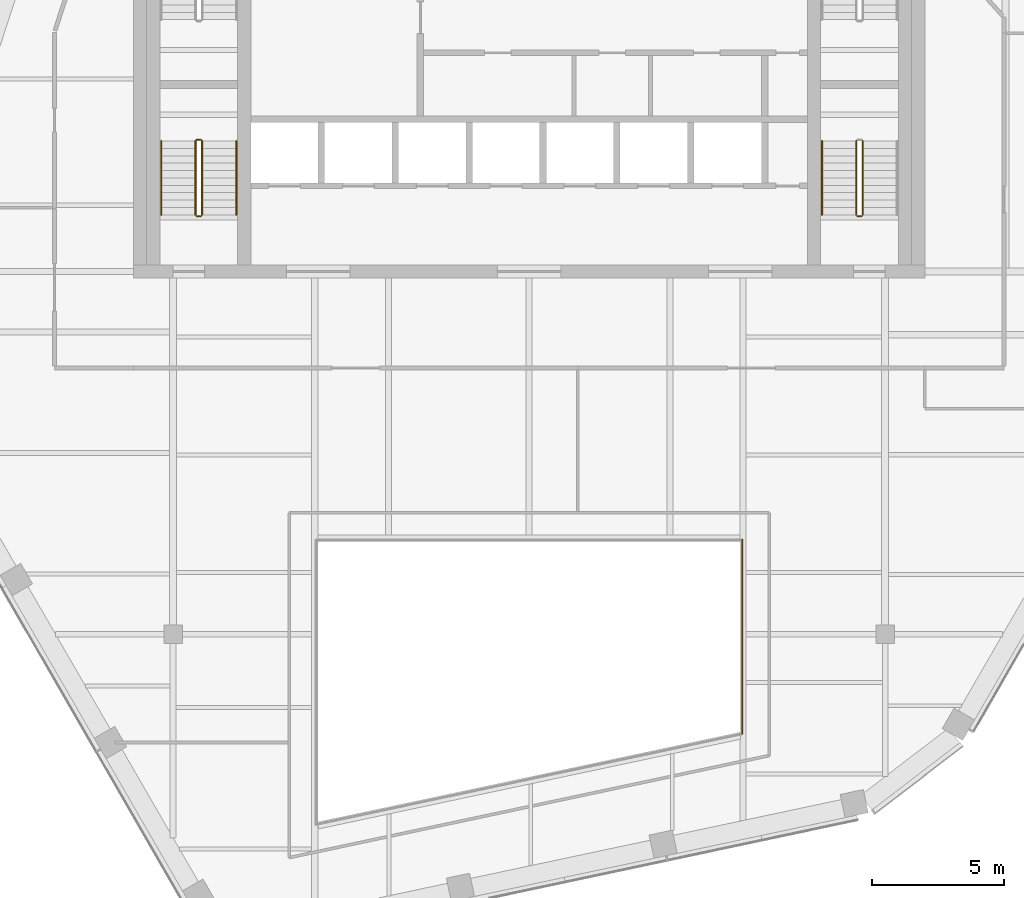
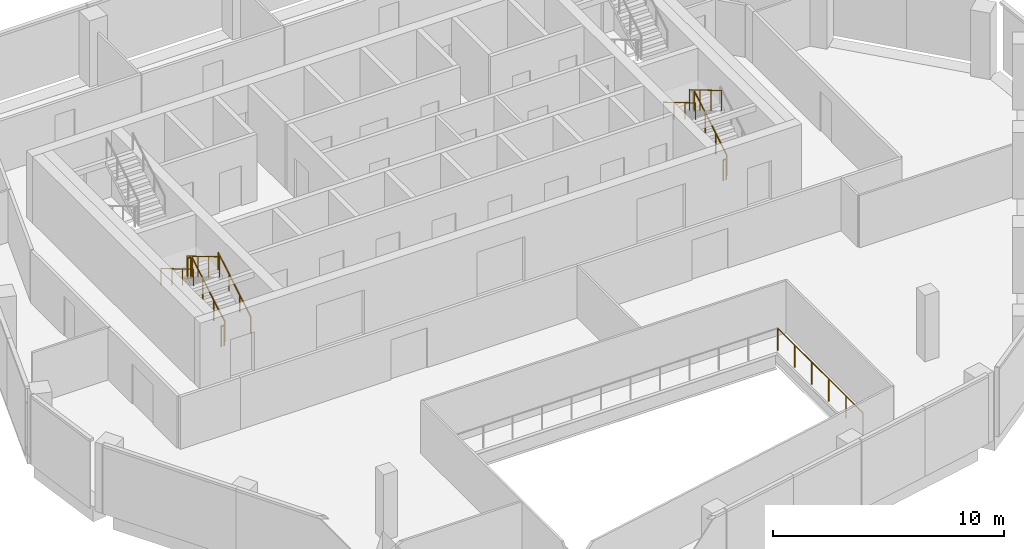
# One storey, part 12 of 15: 11 railings.
"""IFC4 building model written with IfcOpenShell, lengths in metres."""

from ifc_helpers import new_model, si_unit, direction, frame, origin, origin_2d, place, context, subcontext, project, spatial, circle, extrude, material, type_object, element, save


model = new_model("IFC4")

# Units and contexts
model_context = context("Model", 3, precision=1e-05, world=origin(), true_north=direction((0.0, 1.0)))
body_context = subcontext(model_context, "Body", "Model", "MODEL_VIEW")
ifc_project = project(units=[si_unit("LENGTHUNIT", "METRE"), si_unit("AREAUNIT", "SQUARE_METRE"), si_unit("VOLUMEUNIT", "CUBIC_METRE"), si_unit("PLANEANGLEUNIT", "RADIAN"), si_unit("MASSUNIT", "GRAM", prefix="KILO")], contexts=[model_context])

# Site, building, storey
site_placement = place(None, origin())
site = spatial("IfcSite", under=ifc_project, at=site_placement, CompositionType="ELEMENT")
building_placement = place(site_placement, origin())
building = spatial("IfcBuilding", under=site, at=building_placement, Name="Isthmus Gate Tower", CompositionType="ELEMENT")
storey_placement = place(building_placement, frame((0.0, 0.0, 286.5)))
storey = spatial("IfcBuildingStorey", under=building, at=storey_placement, Name="L73", CompositionType="ELEMENT", Elevation=286.5)

# Railings
ifc_material_1 = material(Name="Laminated toughened glass balustrade with steel rail", Category="steel")
railing_type_1 = type_object("IfcRailingType", Name="ATRIUM GUARD GLASS BALUSTRADE 1200", PredefinedType="GUARDRAIL", material=ifc_material_1)
railing_1_placement = place(storey_placement, frame((8.080078125, -9.919921875, 0.0)))
element("IfcRailing", 1, at=railing_1_placement, inside=storey, type_object=railing_type_1, Name="L73 atrium guard", PredefinedType="GUARDRAIL", context=body_context, shape_type="SweptSolid", body=[
    extrude(circle(Radius=0.02490234375, at=origin_2d()), frame((0.0, 0.0, 1.1748046875), z_axis=(0.0, -1.0, 0.0), x_axis=(1.0, 0.0, 0.0)), (0.0, 0.0, 1.0), 7.35498046875),
    extrude(circle(Radius=0.02490234375, at=origin_2d()), origin(), (0.0, 0.0, 1.0), 1.14990234375),
    extrude(circle(Radius=0.02490234375, at=origin_2d()), frame((0.0, -1.470947265625, 0.0)), (0.0, 0.0, 1.0), 1.14990234375),
    extrude(circle(Radius=0.02490234375, at=origin_2d()), frame((0.0, -2.94189453125, 0.0)), (0.0, 0.0, 1.0), 1.14990234375),
    extrude(circle(Radius=0.02490234375, at=origin_2d()), frame((0.0, -4.4130859375, 0.0)), (0.0, 0.0, 1.0), 1.14990234375),
    extrude(circle(Radius=0.02490234375, at=origin_2d()), frame((0.0, -5.884033203125, 0.0)), (0.0, 0.0, 1.0), 1.14990234375),
    extrude(circle(Radius=0.02490234375, at=origin_2d()), frame((0.0, -7.35498046875, 0.0)), (0.0, 0.0, 1.0), 1.14990234375),
])
ifc_material_2 = material(Name="Stainless steel balustrade", Category="steel")
railing_type_2 = type_object("IfcRailingType", Name="STAIR GUARD 1100", PredefinedType="GUARDRAIL", material=ifc_material_2)
railing_2_placement = place(storey_placement, frame((-12.39990234375, 2.39990234375, 0.166015625)))
element("IfcRailing", 2, at=railing_2_placement, inside=storey, type_object=railing_type_2, Name="L73 ST7 stair guard 1", PredefinedType="GUARDRAIL", context=body_context, shape_type="SweptSolid", body=[
    extrude(circle(Radius=0.02392578125, at=origin_2d()), frame((0.0, 0.0, 1.076171875), z_axis=(0.0, 0.860339051648, 0.50972219513), x_axis=(-1.0, 0.0, 0.0)), (0.0, 0.0, 1.0), 3.254638671875),
    extrude(circle(Radius=0.02099609375, at=origin_2d()), origin(), (0.0, 0.0, 1.0), 1.052001953125),
    extrude(circle(Radius=0.02099609375, at=origin_2d()), frame((0.0, 0.933349609375, 0.552978515625)), (0.0, 0.0, 1.0), 1.052001953125),
    extrude(circle(Radius=0.02099609375, at=origin_2d()), frame((0.0, 1.86669921875, 1.10595703125)), (0.0, 0.0, 1.0), 1.052001953125),
    extrude(circle(Radius=0.02099609375, at=origin_2d()), frame((0.0, 2.800048828125, 1.658935546875)), (0.0, 0.0, 1.0), 1.052001953125),
])
railing_3_placement = place(storey_placement, frame((-12.449951171875, 5.25, 1.824951171875)))
element("IfcRailing", 3, at=railing_3_placement, inside=storey, type_object=railing_type_2, Name="L73 ST7 stair guard 2", PredefinedType="GUARDRAIL", context=body_context, shape_type="SweptSolid", body=[
    extrude(circle(Radius=0.02392578125, at=origin_2d()), frame((0.0, 0.0, 1.076171875), z_axis=(-1.0, 0.0, 0.0), x_axis=(0.0, -1.0, 0.0)), (0.0, 0.0, 1.0), 0.150146484375),
    extrude(circle(Radius=0.02099609375, at=origin_2d()), origin(), (0.0, 0.0, 1.0), 1.052001953125),
    extrude(circle(Radius=0.02099609375, at=origin_2d()), frame((-0.150146484375, 0.0, 0.0)), (0.0, 0.0, 1.0), 1.052001953125),
])
railing_4_placement = place(storey_placement, frame((-12.64990234375, 5.199951171875, 1.990966796875)))
element("IfcRailing", 4, at=railing_4_placement, inside=storey, type_object=railing_type_2, Name="L73 ST7 stair guard 3", PredefinedType="GUARDRAIL", context=body_context, shape_type="SweptSolid", body=[
    extrude(circle(Radius=0.02392578125, at=origin_2d()), frame((0.0, 0.0, 1.076171875), z_axis=(0.0, -0.860339051648, 0.50972219513), x_axis=(1.0, 0.0, 0.0)), (0.0, 0.0, 1.0), 3.254638671875),
    extrude(circle(Radius=0.02099609375, at=origin_2d()), origin(), (0.0, 0.0, 1.0), 1.052001953125),
    extrude(circle(Radius=0.02099609375, at=origin_2d()), frame((0.0, -0.933349609375, 0.552978515625)), (0.0, 0.0, 1.0), 1.052001953125),
    extrude(circle(Radius=0.02099609375, at=origin_2d()), frame((0.0, -1.86669921875, 1.10595703125)), (0.0, 0.0, 1.0), 1.052001953125),
    extrude(circle(Radius=0.02099609375, at=origin_2d()), frame((0.0, -2.800048828125, 1.658935546875)), (0.0, 0.0, 1.0), 1.052001953125),
])
railing_5_placement = place(storey_placement, frame((-12.449951171875, 2.35009765625, 0.0)))
element("IfcRailing", 5, at=railing_5_placement, inside=storey, type_object=railing_type_2, Name="L73 ST7 stair guard 4", PredefinedType="GUARDRAIL", context=body_context, shape_type="SweptSolid", body=[
    extrude(circle(Radius=0.02392578125, at=origin_2d()), frame((0.0, 0.0, 1.076171875), z_axis=(-1.0, 0.0, 0.0), x_axis=(0.0, -1.0, 0.0)), (0.0, 0.0, 1.0), 0.150146484375),
    extrude(circle(Radius=0.02099609375, at=origin_2d()), origin(), (0.0, 0.0, 1.0), 1.052001953125),
    extrude(circle(Radius=0.02099609375, at=origin_2d()), frame((-0.150146484375, 0.0, 0.0)), (0.0, 0.0, 1.0), 1.052001953125),
])
railing_6_placement = place(storey_placement, frame((12.64990234375, 2.39990234375, 0.166015625)))
element("IfcRailing", 6, at=railing_6_placement, inside=storey, type_object=railing_type_2, Name="L73 ST8 stair guard 1", PredefinedType="GUARDRAIL", context=body_context, shape_type="SweptSolid", body=[
    extrude(circle(Radius=0.02392578125, at=origin_2d()), frame((0.0, 0.0, 1.076171875), z_axis=(0.0, 0.860339051648, 0.50972219513), x_axis=(-1.0, 0.0, 0.0)), (0.0, 0.0, 1.0), 3.254638671875),
    extrude(circle(Radius=0.02099609375, at=origin_2d()), origin(), (0.0, 0.0, 1.0), 1.052001953125),
    extrude(circle(Radius=0.02099609375, at=origin_2d()), frame((0.0, 0.933349609375, 0.552978515625)), (0.0, 0.0, 1.0), 1.052001953125),
    extrude(circle(Radius=0.02099609375, at=origin_2d()), frame((0.0, 1.86669921875, 1.10595703125)), (0.0, 0.0, 1.0), 1.052001953125),
    extrude(circle(Radius=0.02099609375, at=origin_2d()), frame((0.0, 2.800048828125, 1.658935546875)), (0.0, 0.0, 1.0), 1.052001953125),
])
railing_7_placement = place(storey_placement, frame((12.39990234375, 5.199951171875, 1.990966796875)))
element("IfcRailing", 7, at=railing_7_placement, inside=storey, type_object=railing_type_2, Name="L73 ST8 stair guard 3", PredefinedType="GUARDRAIL", context=body_context, shape_type="SweptSolid", body=[
    extrude(circle(Radius=0.02392578125, at=origin_2d()), frame((0.0, 0.0, 1.076171875), z_axis=(0.0, -0.860339051648, 0.50972219513), x_axis=(1.0, 0.0, 0.0)), (0.0, 0.0, 1.0), 3.254638671875),
    extrude(circle(Radius=0.02099609375, at=origin_2d()), origin(), (0.0, 0.0, 1.0), 1.052001953125),
    extrude(circle(Radius=0.02099609375, at=origin_2d()), frame((0.0, -0.933349609375, 0.552978515625)), (0.0, 0.0, 1.0), 1.052001953125),
    extrude(circle(Radius=0.02099609375, at=origin_2d()), frame((0.0, -1.86669921875, 1.10595703125)), (0.0, 0.0, 1.0), 1.052001953125),
    extrude(circle(Radius=0.02099609375, at=origin_2d()), frame((0.0, -2.800048828125, 1.658935546875)), (0.0, 0.0, 1.0), 1.052001953125),
])
railing_8_placement = place(storey_placement, frame((12.60009765625, 2.35009765625, 0.0)))
element("IfcRailing", 8, at=railing_8_placement, inside=storey, type_object=railing_type_2, Name="L73 ST8 stair guard 4", PredefinedType="GUARDRAIL", context=body_context, shape_type="SweptSolid", body=[
    extrude(circle(Radius=0.02392578125, at=origin_2d()), frame((0.0, 0.0, 1.076171875), z_axis=(-1.0, 0.0, 0.0), x_axis=(0.0, -1.0, 0.0)), (0.0, 0.0, 1.0), 0.150146484375),
    extrude(circle(Radius=0.02099609375, at=origin_2d()), origin(), (0.0, 0.0, 1.0), 1.052001953125),
    extrude(circle(Radius=0.02099609375, at=origin_2d()), frame((-0.150146484375, 0.0, 0.0)), (0.0, 0.0, 1.0), 1.052001953125),
])
ifc_material_3 = material(Name="Stainless steel handrail", Category="steel")
railing_type_3 = type_object("IfcRailingType", Name="STAIR HANDRAIL 900", PredefinedType="HANDRAIL", material=ifc_material_3)
railing_9_placement = place(storey_placement, frame((-11.10009765625, 2.39990234375, 0.166015625)))
element("IfcRailing", 9, at=railing_9_placement, inside=storey, type_object=railing_type_3, Name="L73 ST7 stair handrail 1", PredefinedType="HANDRAIL", context=body_context, shape_type="SweptSolid", body=[
    extrude(circle(Radius=0.02392578125, at=origin_2d()), frame((0.0, 0.0, 0.8759765625), z_axis=(0.0, 0.860339051648, 0.50972219513), x_axis=(-1.0, 0.0, 0.0)), (0.0, 0.0, 1.0), 3.254638671875),
    extrude(circle(Radius=0.02099609375, at=origin_2d()), origin(), (0.0, 0.0, 1.0), 0.851806640625),
    extrude(circle(Radius=0.02099609375, at=origin_2d()), frame((0.0, 0.933349609375, 0.552978515625)), (0.0, 0.0, 1.0), 0.851806640625),
    extrude(circle(Radius=0.02099609375, at=origin_2d()), frame((0.0, 1.86669921875, 1.10595703125)), (0.0, 0.0, 1.0), 0.851806640625),
    extrude(circle(Radius=0.02099609375, at=origin_2d()), frame((0.0, 2.800048828125, 1.658935546875)), (0.0, 0.0, 1.0), 0.851806640625),
])
for number, where, name in (
    (10, (-13.949951171875, 5.199951171875, 1.990966796875), "L73 ST7 stair handrail 2"),
    (11, (11.10009765625, 5.199951171875, 1.990966796875), "L73 ST8 stair handrail 2"),
):
    element("IfcRailing", number, at=place(storey_placement, frame(where)), inside=storey, type_object=railing_type_3, Name=name, PredefinedType="HANDRAIL", context=body_context, shape_type="SweptSolid", body=[
        extrude(circle(Radius=0.02392578125, at=origin_2d()), frame((0.0, 0.0, 0.8759765625), z_axis=(0.0, -0.860339051648, 0.50972219513), x_axis=(1.0, 0.0, 0.0)), (0.0, 0.0, 1.0), 3.254638671875),
        extrude(circle(Radius=0.02099609375, at=origin_2d()), origin(), (0.0, 0.0, 1.0), 0.851806640625),
        extrude(circle(Radius=0.02099609375, at=origin_2d()), frame((0.0, -0.933349609375, 0.552978515625)), (0.0, 0.0, 1.0), 0.851806640625),
        extrude(circle(Radius=0.02099609375, at=origin_2d()), frame((0.0, -1.86669921875, 1.10595703125)), (0.0, 0.0, 1.0), 0.851806640625),
        extrude(circle(Radius=0.02099609375, at=origin_2d()), frame((0.0, -2.800048828125, 1.658935546875)), (0.0, 0.0, 1.0), 0.851806640625),
    ])

save(model, "model.ifc")
